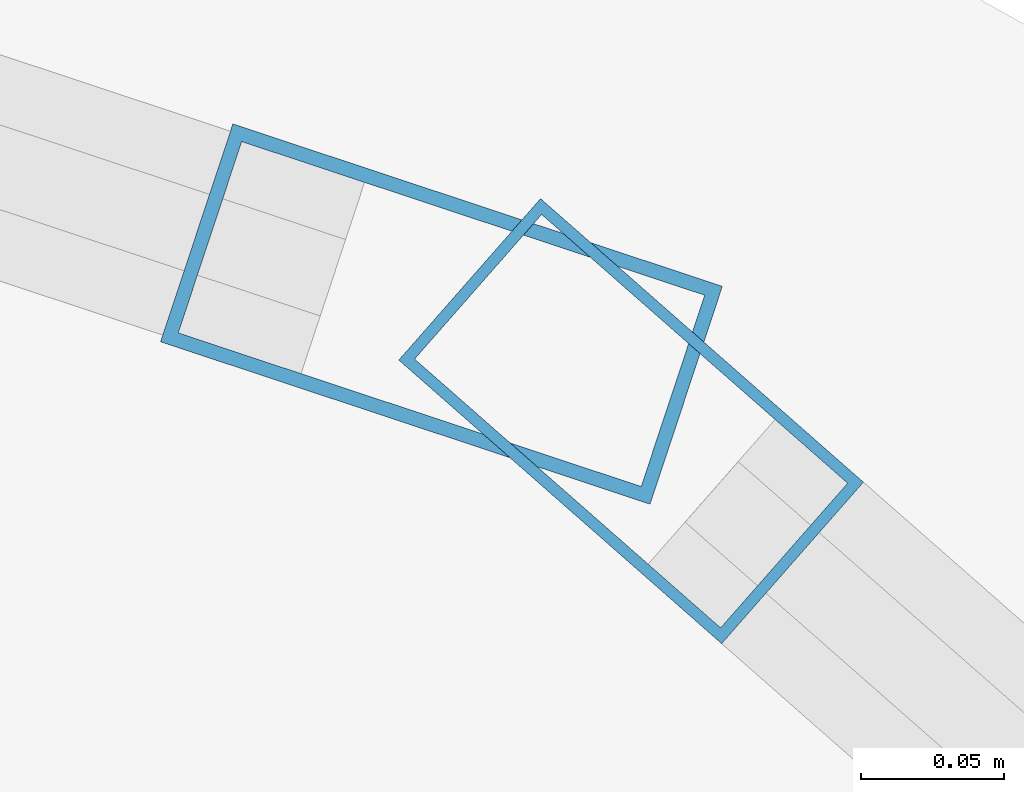
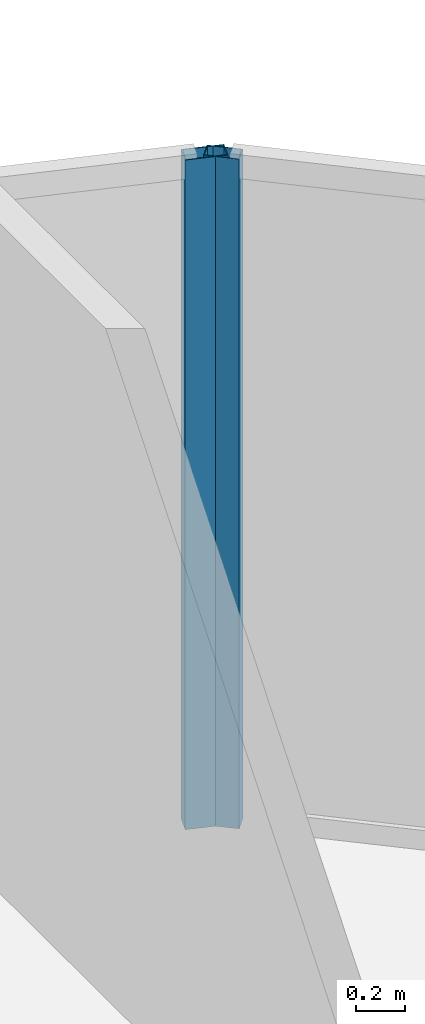
# One storey, part 21 of 34: 2 members, 2 elements without a shape of their own.
"""IFC4 building model written with IfcOpenShell, lengths in metres."""

from ifc_helpers import new_model, si_unit, direction, frame, origin, origin_2d, place, context, subcontext, project, spatial, hollow_rectangle, extrude, material, layer, layer_set, material_profile, profile_set, type_object, element, aggregate, save


model = new_model("IFC4")

# Units and contexts
model_context = context("Model", 3, precision=1e-05, world=origin(), true_north=direction((0.0, 1.0)))
body_context = subcontext(model_context, "Body", "Model", "MODEL_VIEW")
ifc_project = project(units=[si_unit("LENGTHUNIT", "METRE"), si_unit("AREAUNIT", "SQUARE_METRE"), si_unit("VOLUMEUNIT", "CUBIC_METRE"), si_unit("PLANEANGLEUNIT", "RADIAN"), si_unit("MASSUNIT", "GRAM", prefix="KILO")], contexts=[model_context])

# Site, building, storey
site_placement = place(None, origin())
site = spatial("IfcSite", under=ifc_project, at=site_placement, CompositionType="ELEMENT")
building_placement = place(site_placement, origin())
building = spatial("IfcBuilding", under=site, at=building_placement, Name="Kazevale Care Tower and Concert Hall", CompositionType="ELEMENT")
storey_placement = place(building_placement, frame((0.0, 0.0, 167.39990234375)))
storey = spatial("IfcBuildingStorey", under=building, at=storey_placement, Name="L44", CompositionType="ELEMENT", Elevation=167.39990234375)

# Curtain wall, member
ifc_material_1 = material(Name="Aluminium 6063-T6 and Low-E Glass", Category="aluminium")
ifc_layer_1 = layer(ifc_material_1, 0.179931640625)
ifc_layer_set_1 = layer_set([ifc_layer_1], Name="Aluminium 6063-T6 and Low-E Glass")
curtain_wall_type_1 = type_object("IfcCurtainWallType", Name="Convex Checkerboard Finned Curtain Wall CW-2", PredefinedType="NOTDEFINED", material=ifc_layer_set_1)
curtain_wall_1_placement = place(storey_placement, origin())
curtain_wall_1 = element("IfcCurtainWall", 1, at=curtain_wall_1_placement, inside=storey, type_object=curtain_wall_type_1, Name="cw:L44:f16", PredefinedType="NOTDEFINED")
ifc_material_2 = material(Name="Aluminium 6063-T6", Category="aluminium")
ifc_material_profile_1 = material_profile(ifc_material_2, hollow_rectangle(XDim=0.080078125, YDim=0.179931640625, WallThickness=0.0048828125, at=origin_2d()), Name="ALU80x180x5")
ifc_profile_set_1 = profile_set([ifc_material_profile_1], Name="Aluminium 6063-T6")
member_type_1 = type_object("IfcMemberType", Name="CW-2 Mullion ALU80x180x5", PredefinedType="MULLION", material=ifc_profile_set_1)
member_1_placement = place(storey_placement, frame((63.14501953125, 60.734619140625, 0.0), z_axis=(0.0, 0.0, 1.0), x_axis=(0.314868185785, 0.949135409507, 0.0)))
member_1 = element("IfcMember", 2, at=member_1_placement, type_object=member_type_1, Name="CW-2 mullion 2", PredefinedType="MULLION", context=body_context, shape_type="SweptSolid", body=[
    extrude(hollow_rectangle(XDim=0.080078125, YDim=0.179931640625, WallThickness=0.0048828125, at=origin_2d()), origin(), (0.0, 0.0, 1.0), 3.360107421875),
])
aggregate(curtain_wall_1, [member_1])

ifc_layer_2 = layer(ifc_material_1, 0.179931640625)
ifc_layer_set_2 = layer_set([ifc_layer_2], Name="Aluminium 6063-T6 and Low-E Glass")
curtain_wall_type_2 = type_object("IfcCurtainWallType", Name="Convex Recessed Sunroom Curtain Wall CW-3", PredefinedType="NOTDEFINED", material=ifc_layer_set_2)
curtain_wall_2_placement = place(storey_placement, origin())
curtain_wall_2 = element("IfcCurtainWall", 3, at=curtain_wall_2_placement, inside=storey, type_object=curtain_wall_type_2, Name="cw:L44:f17", PredefinedType="NOTDEFINED")
ifc_material_profile_2 = material_profile(ifc_material_2, hollow_rectangle(XDim=0.074951171875, YDim=0.14990234375, WallThickness=0.00390625, at=origin_2d()), Name="ALU75x150x4")
ifc_profile_set_2 = profile_set([ifc_material_profile_2], Name="Aluminium 6063-T6")
member_type_2 = type_object("IfcMemberType", Name="CW-3 Mullion ALU75x150x4", PredefinedType="MULLION", material=ifc_profile_set_2)
member_2_placement = place(storey_placement, frame((63.211181640625, 60.697265625, 0.0), z_axis=(0.0, 0.0, 1.0), x_axis=(0.659891732197, 0.751360700182, 0.0)))
member_2 = element("IfcMember", 4, at=member_2_placement, type_object=member_type_2, Name="CW-3 mullion 1", PredefinedType="MULLION", context=body_context, shape_type="SweptSolid", body=[
    extrude(hollow_rectangle(XDim=0.074951171875, YDim=0.14990234375, WallThickness=0.00390625, at=origin_2d()), origin(), (0.0, 0.0, 1.0), 3.360107421875),
])
aggregate(curtain_wall_2, [member_2])

save(model, "model.ifc")
